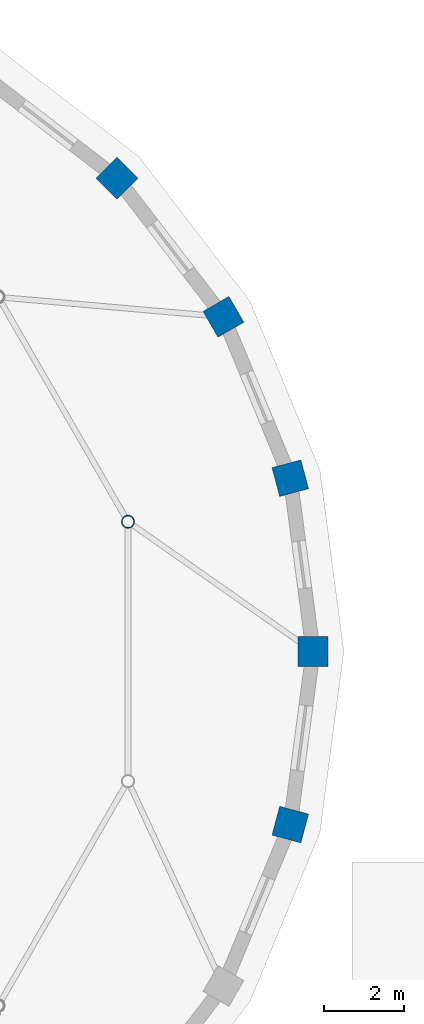
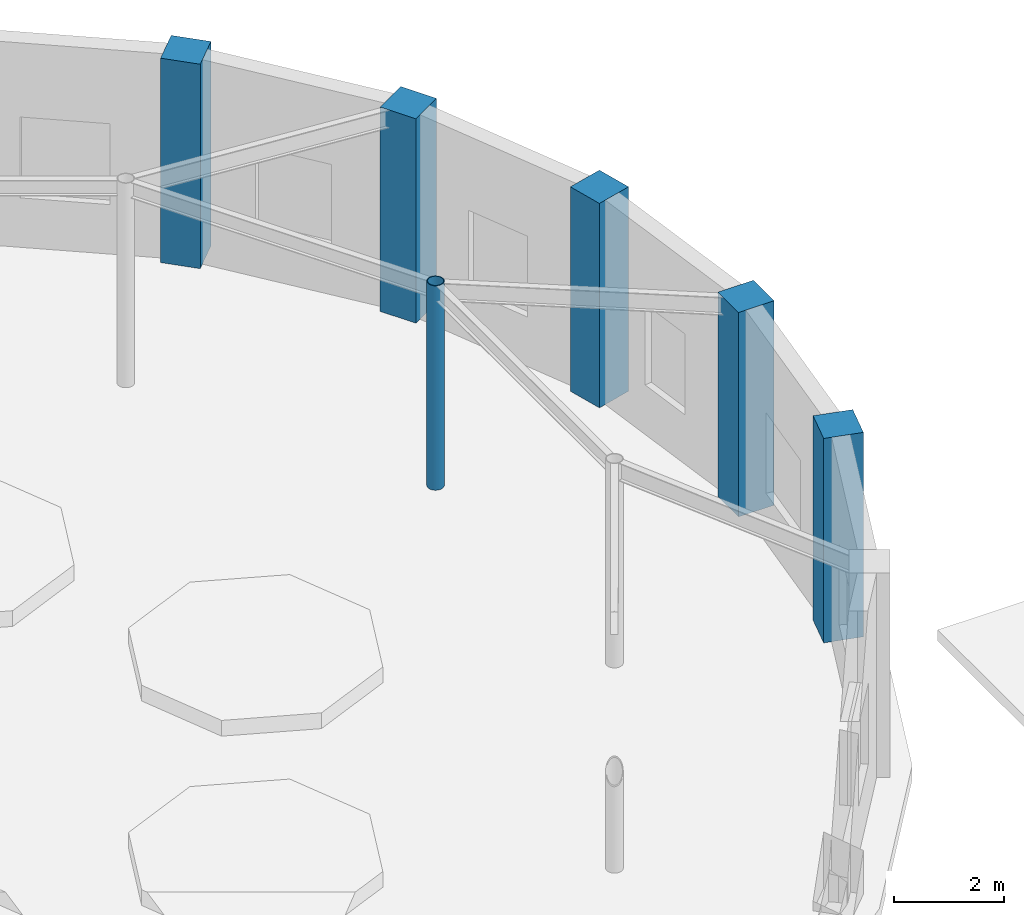
# One storey, part 3 of 39: 6 columns.
"""IFC4 building model written with IfcOpenShell, lengths in metres."""

from ifc_helpers import new_model, si_unit, direction, frame, origin, origin_2d, place, context, subcontext, project, spatial, rectangle, hollow_circle, extrude, material, material_profile, profile_set, type_object, element, save


model = new_model("IFC4")

# Units and contexts
model_context = context("Model", 3, precision=1e-05, world=origin(), true_north=direction((0.0, 1.0)))
body_context = subcontext(model_context, "Body", "Model", "MODEL_VIEW")
ifc_project = project(units=[si_unit("LENGTHUNIT", "METRE"), si_unit("AREAUNIT", "SQUARE_METRE"), si_unit("VOLUMEUNIT", "CUBIC_METRE"), si_unit("PLANEANGLEUNIT", "RADIAN"), si_unit("MASSUNIT", "GRAM", prefix="KILO")], contexts=[model_context])

# Site, building, storey
site_placement = place(None, origin())
site = spatial("IfcSite", under=ifc_project, at=site_placement, CompositionType="ELEMENT")
building_placement = place(site_placement, origin())
building = spatial("IfcBuilding", under=site, at=building_placement, Name="Kandorven Conservatory and Botanical Research Centre", CompositionType="ELEMENT")
storey_placement = place(building_placement, origin())
storey = spatial("IfcBuildingStorey", under=building, at=storey_placement, Name="L00", CompositionType="ELEMENT", Elevation=0.0)

# Columns
ifc_material_1 = material(Name="Concrete C40/50 (M50)", Category="concrete")
ifc_material_profile_1 = material_profile(ifc_material_1, rectangle(XDim=0.75, YDim=0.75, at=origin_2d()))
ifc_profile_set_1 = profile_set([ifc_material_profile_1], Name="Concrete C40/50 (M50)")
column_type_1 = type_object("IfcColumnType", Name="Col_DC-01", PredefinedType="COLUMN", material=ifc_profile_set_1)
for number, where, z_axis, x_axis, name in (
    (1, (104.425048828125, 47.800048828125, 0.0), (0.0, 0.0, 1.0), (1.0, 0.0, 0.0), "Conservatory drum radial pier DC-01 L00 R01"),
    (2, (103.851806640625, 52.154541015625, 0.0), (0.0, 0.0, 1.0), (0.965925826289, 0.258819045103, 0.0), "Conservatory drum radial pier DC-01 L00 R02"),
    (3, (102.1708984375, 56.21240234375, 0.0), (0.0, 0.0, 1.0), (0.866025403784, 0.5, 0.0), "Conservatory drum radial pier DC-01 L00 R03"),
    (4, (99.4970703125, 59.697021484375, 0.0), (0.0, 0.0, 1.0), (0.707106781187, 0.707106781187, 0.0), "Conservatory drum radial pier DC-01 L00 R04"),
    (5, (103.851806640625, 43.4453125, 0.0), (0.0, 0.0, 1.0), (0.965925826289, -0.258819045103, 0.0), "Conservatory drum radial pier DC-01 L00 R24"),
):
    element("IfcColumn", number, at=place(storey_placement, frame(where, z_axis=z_axis, x_axis=x_axis)), inside=storey, type_object=column_type_1, Name=name, PredefinedType="COLUMN", context=body_context, shape_type="SweptSolid", body=[
        extrude(rectangle(XDim=0.75, YDim=0.75, at=origin_2d()), origin(), (0.0, 0.0, 1.0), 4.550048828125),
    ])
ifc_material_2 = material(Name="Steel S355 (IS 2062 E350)", Category="steel")
ifc_material_profile_2 = material_profile(ifc_material_2, hollow_circle(Radius=0.161865234375, WallThickness=0.01611328125, at=origin_2d()))
ifc_profile_set_2 = profile_set([ifc_material_profile_2], Name="Steel S355 (IS 2062 E350)")
column_type_2 = type_object("IfcColumnType", Name="Col_WC-01", PredefinedType="COLUMN", material=ifc_profile_set_2)
column_placement = place(storey_placement, frame((99.770751953125, 51.06103515625, 0.0), z_axis=(0.0, 0.0, 1.0), x_axis=(1.0, 0.0, 0.0)))
element("IfcColumn", 6, at=column_placement, inside=storey, type_object=column_type_2, Name="Conservatory canopy walkway column WC-01 L00 W01", PredefinedType="COLUMN", context=body_context, shape_type="SweptSolid", body=[
    extrude(hollow_circle(Radius=0.161865234375, WallThickness=0.01611328125, at=origin_2d()), origin(), (0.0, 0.0, 1.0), 4.550048828125),
])

save(model, "model.ifc")
